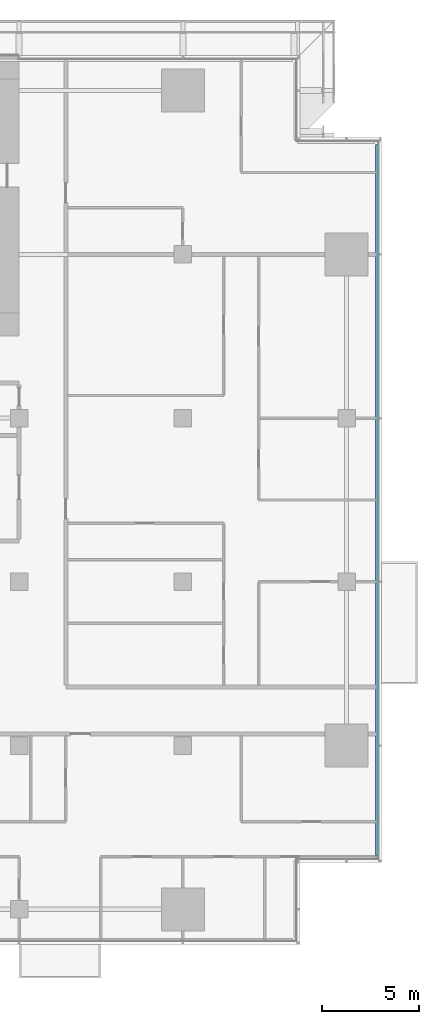
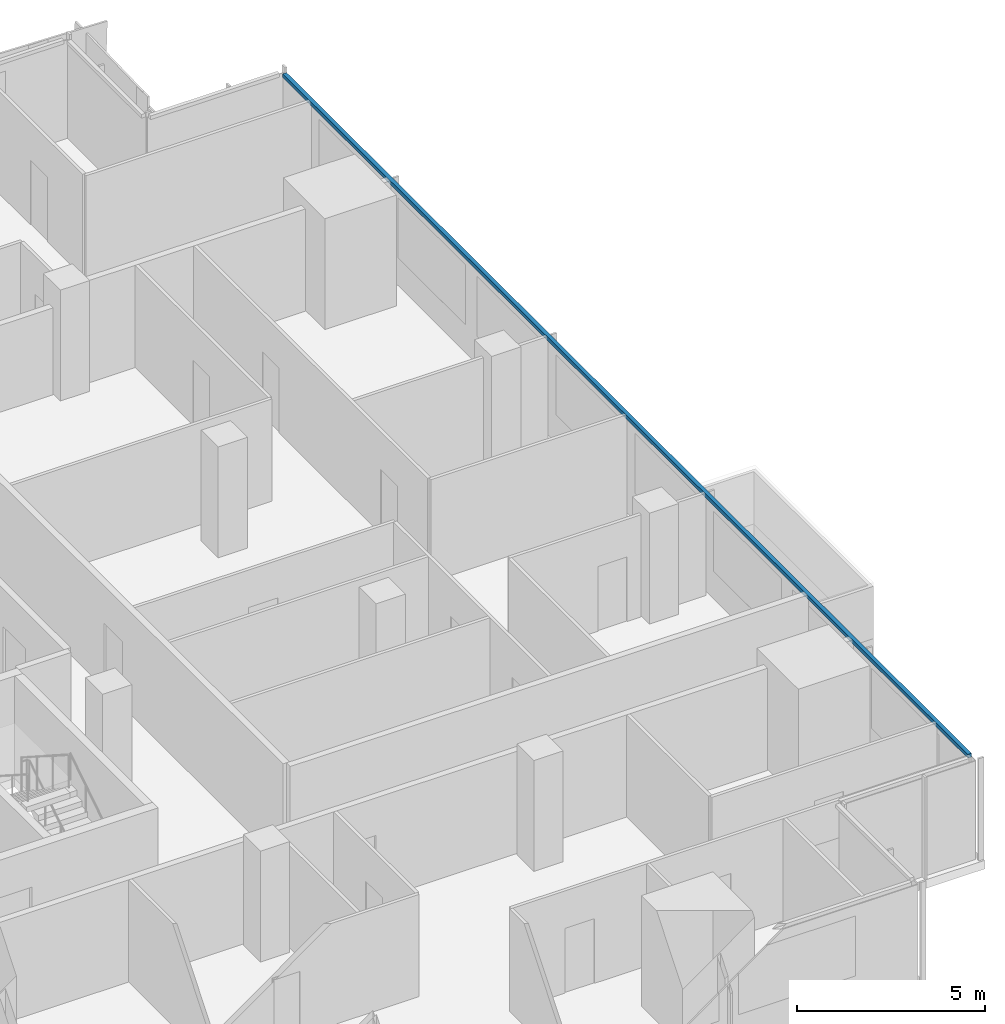
# One storey, part 12 of 29: 1 member, 1 element without a shape of its own.
"""IFC4 building model written with IfcOpenShell, lengths in metres."""

from ifc_helpers import new_model, si_unit, direction, frame, origin, origin_2d, place, context, subcontext, project, spatial, rectangle, extrude, material, material_profile, profile_set, type_object, element, aggregate, save


model = new_model("IFC4")

# Units and contexts
model_context = context("Model", 3, precision=1e-05, world=origin(), true_north=direction((0.0, 1.0)))
body_context = subcontext(model_context, "Body", "Model", "MODEL_VIEW")
ifc_project = project(units=[si_unit("LENGTHUNIT", "METRE"), si_unit("AREAUNIT", "SQUARE_METRE"), si_unit("VOLUMEUNIT", "CUBIC_METRE"), si_unit("PLANEANGLEUNIT", "RADIAN"), si_unit("MASSUNIT", "GRAM", prefix="KILO")], contexts=[model_context])

# Site, building, storey
site_placement = place(None, origin())
site = spatial("IfcSite", under=ifc_project, at=site_placement, CompositionType="ELEMENT")
building_placement = place(site_placement, origin())
building = spatial("IfcBuilding", under=site, at=building_placement, Name="Saffron Gate Tower", CompositionType="ELEMENT")
storey_placement = place(building_placement, frame((0.0, 0.0, 58.800048828125)))
storey = spatial("IfcBuildingStorey", under=building, at=storey_placement, Name="L13", CompositionType="ELEMENT", Elevation=58.800048828125)

# Curtain wall, member
ifc_material = material(Name="Aluminium, bronze anodised", Category="aluminium")
curtain_wall_type = type_object("IfcCurtainWallType", Name="CWS2 curtain wall side facades", PredefinedType="NOTDEFINED", material=ifc_material)
curtain_wall_placement = place(storey_placement, origin())
curtain_wall = element("IfcCurtainWall", 1, at=curtain_wall_placement, inside=storey, type_object=curtain_wall_type, Name="CWS2 run 4", PredefinedType="NOTDEFINED")
ifc_material_profile = material_profile(ifc_material, rectangle(XDim=0.1201171875, YDim=0.1201171875, at=origin_2d()))
ifc_profile_set = profile_set([ifc_material_profile], Name="Aluminium, bronze anodised")
member_type = type_object("IfcMemberType", Name="CWS2 head transom", PredefinedType="USERDEFINED", material=ifc_profile_set)
member_placement = place(storey_placement, frame((126.951904296875, 34.568115234375, 3.260009765625), z_axis=(0.0, 1.0, 0.0), x_axis=(-1.0, 0.0, 0.0)))
member = element("IfcMember", 2, at=member_placement, type_object=member_type, Name="CWS2 head transom", ObjectType="TRANSOM", PredefinedType="USERDEFINED", context=body_context, shape_type="SweptSolid", body=[
    extrude(rectangle(XDim=0.1201171875, YDim=0.1201171875, at=origin_2d()), origin(), (0.0, 0.0, 1.0), 36.4638671875),
])
aggregate(curtain_wall, [member])

save(model, "model.ifc")
